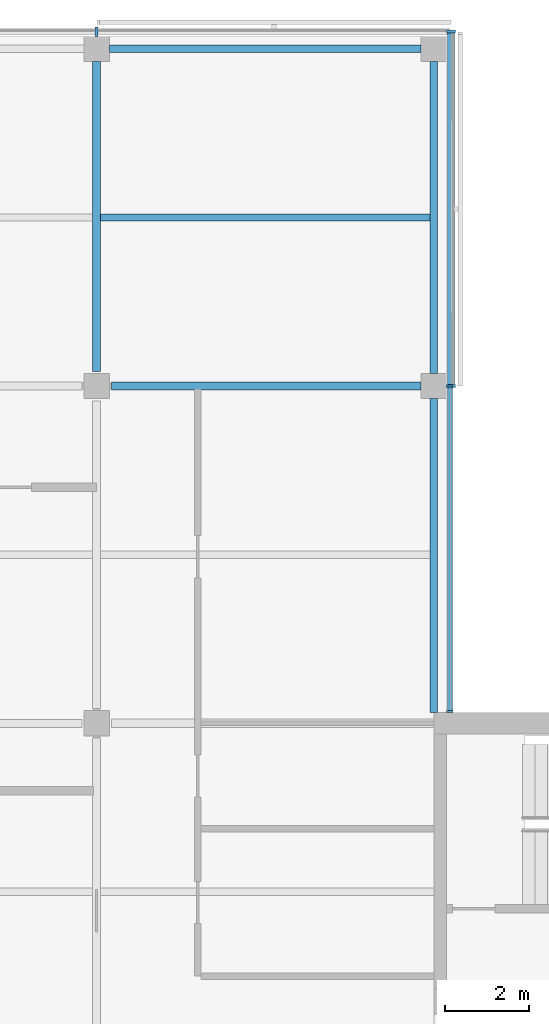
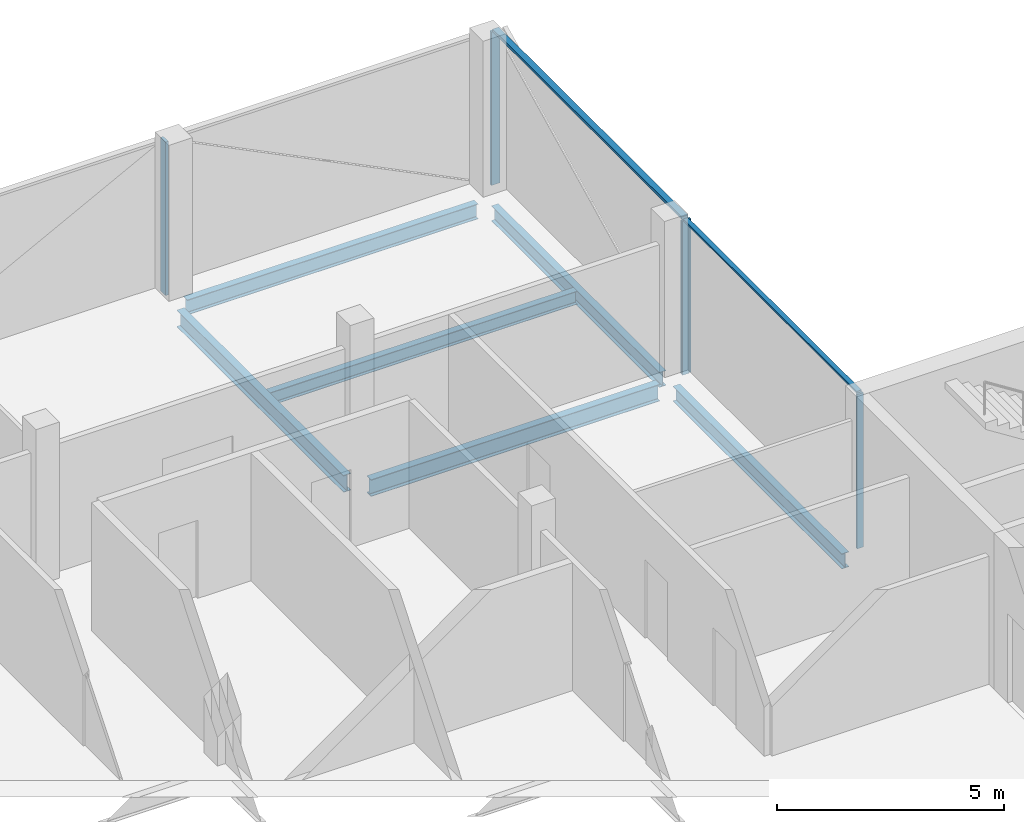
# One storey, part 7 of 16: 7 members, 6 beams, 3 elements without a shape of their own.
"""IFC4 building model written with IfcOpenShell, lengths in metres."""

from ifc_helpers import new_model, si_unit, direction, frame, origin, origin_2d, place, context, subcontext, project, spatial, rectangle, i_section, extrude, material, material_profile, profile_set, type_object, element, aggregate, save


model = new_model("IFC4")

# Units and contexts
model_context = context("Model", 3, precision=1e-05, world=origin(), true_north=direction((0.0, 1.0)))
body_context = subcontext(model_context, "Body", "Model", "MODEL_VIEW")
ifc_project = project(units=[si_unit("LENGTHUNIT", "METRE"), si_unit("AREAUNIT", "SQUARE_METRE"), si_unit("VOLUMEUNIT", "CUBIC_METRE"), si_unit("PLANEANGLEUNIT", "RADIAN"), si_unit("MASSUNIT", "GRAM", prefix="KILO")], contexts=[model_context])

# Site, building, storey
site_placement = place(None, origin())
site = spatial("IfcSite", under=ifc_project, at=site_placement, CompositionType="ELEMENT")
building_placement = place(site_placement, origin())
building = spatial("IfcBuilding", under=site, at=building_placement, Name="Crosswind Convention Tower", CompositionType="ELEMENT")
storey_placement = place(building_placement, frame((0.0, 0.0, 295.5)))
storey = spatial("IfcBuildingStorey", under=building, at=storey_placement, Name="L64", CompositionType="ELEMENT", Elevation=295.5)

# Beams
ifc_material_1 = material(Name="Steel S355", Category="steel")
ifc_material_profile_1 = material_profile(ifc_material_1, i_section(OverallWidth=0.177734375, OverallDepth=0.406494140625, WebThickness=0.0078125, FlangeThickness=0.0126953125, FilletRadius=0.01025390625, at=origin_2d()), Name="UB 406x178x60")
ifc_profile_set_1 = profile_set([ifc_material_profile_1], Name="Steel S355")
beam_type_1 = type_object("IfcBeamType", Name="Edge beam UB 406x178x60", PredefinedType="SPANDREL", material=ifc_profile_set_1)
beam_1_placement = place(storey_placement, frame((129.300048828125, 128.0, -0.503173828125), z_axis=(1.0, 0.0, 0.0), x_axis=(0.0, 1.0, 0.0)))
element("IfcBeam", 1, at=beam_1_placement, inside=storey, type_object=beam_type_1, Name="B15 L64 edge beam 10", PredefinedType="SPANDREL", context=body_context, shape_type="SweptSolid", body=[
    extrude(i_section(OverallWidth=0.177734375, OverallDepth=0.406494140625, WebThickness=0.0078125, FlangeThickness=0.0126953125, FilletRadius=0.01025390625, at=origin_2d()), origin(), (0.0, 0.0, 1.0), 7.39990234375),
])
beam_2_placement = place(storey_placement, frame((137.0, 112.25, -0.503173828125), z_axis=(0.0, 1.0, 0.0), x_axis=(-1.0, 0.0, 0.0)))
element("IfcBeam", 2, at=beam_2_placement, inside=storey, type_object=beam_type_1, Name="B15 L64 edge beam 13", PredefinedType="SPANDREL", context=body_context, shape_type="SweptSolid", body=[
    extrude(i_section(OverallWidth=0.177734375, OverallDepth=0.406494140625, WebThickness=0.0078125, FlangeThickness=0.0126953125, FilletRadius=0.01025390625, at=origin_2d()), origin(), (0.0, 0.0, 1.0), 7.449951171875),
])
beam_3_placement = place(storey_placement, frame((137.0, 120.300048828125, -0.503173828125), z_axis=(0.0, 1.0, 0.0), x_axis=(-1.0, 0.0, 0.0)))
element("IfcBeam", 3, at=beam_3_placement, inside=storey, type_object=beam_type_1, Name="B15 L64 edge beam 14", PredefinedType="SPANDREL", context=body_context, shape_type="SweptSolid", body=[
    extrude(i_section(OverallWidth=0.177734375, OverallDepth=0.406494140625, WebThickness=0.0078125, FlangeThickness=0.0126953125, FilletRadius=0.01025390625, at=origin_2d()), origin(), (0.0, 0.0, 1.0), 7.39990234375),
])
ifc_material_profile_2 = material_profile(ifc_material_1, i_section(OverallWidth=0.18994140625, OverallDepth=0.45361328125, WebThickness=0.008544921875, FlangeThickness=0.0126953125, FilletRadius=0.01025390625, at=origin_2d()), Name="UB 457x191x67")
ifc_profile_set_2 = profile_set([ifc_material_profile_2], Name="Steel S355")
beam_type_2 = type_object("IfcBeamType", Name="Girder UB 457x191x67", PredefinedType="BEAM", material=ifc_profile_set_2)
for number, where, z_axis, x_axis, name in (
    (4, (129.0, 120.35009765625, -0.52685546875), (0.0, 1.0, 0.0), (-1.0, 0.0, 0.0), "B1 L64 girder 22"),
    (5, (129.35009765625, 120.0, -0.52685546875), (1.0, 0.0, 0.0), (0.0, 1.0, 0.0), "B1 L64 girder 24"),
):
    element("IfcBeam", number, at=place(storey_placement, frame(where, z_axis=z_axis, x_axis=x_axis)), inside=storey, type_object=beam_type_2, Name=name, PredefinedType="BEAM", context=body_context, shape_type="SweptSolid", body=[
        extrude(i_section(OverallWidth=0.18994140625, OverallDepth=0.45361328125, WebThickness=0.008544921875, FlangeThickness=0.0126953125, FilletRadius=0.01025390625, at=origin_2d()), origin(), (0.0, 0.0, 1.0), 7.349853515625),
    ])

# Curtain wall, members
ifc_material_2 = material(Name="Aluminium unitised curtain wall", Category="aluminium")
curtain_wall_type_1 = type_object("IfcCurtainWallType", Name="CORE END SLOT WALL 160", PredefinedType="USERDEFINED", material=ifc_material_2)
curtain_wall_1_placement = place(storey_placement, origin())
curtain_wall_1 = element("IfcCurtainWall", 6, at=curtain_wall_1_placement, inside=storey, type_object=curtain_wall_type_1, Name="CW6 L64 N-E.1-1 slot", ObjectType="UNITISED", PredefinedType="USERDEFINED")
ifc_material_3 = material(Name="Aluminium mullion", Category="aluminium")
ifc_material_profile_3 = material_profile(ifc_material_3, rectangle(XDim=0.159912109375, YDim=0.050048828125, at=origin_2d()), Name="AL 160X50")
ifc_profile_set_3 = profile_set([ifc_material_profile_3], Name="Aluminium mullion")
member_type_1 = type_object("IfcMemberType", Name="MULLION 50X160", PredefinedType="MULLION", material=ifc_profile_set_3)
member_1_placement = place(storey_placement, frame((137.3798828125, 112.27490234375, -0.300048828125), z_axis=(0.0, 0.0, 1.0), x_axis=(1.0, 0.0, 0.0)))
member_1 = element("IfcMember", 7, at=member_1_placement, type_object=member_type_1, Name="CW6 mullion 1", PredefinedType="MULLION", context=body_context, shape_type="SweptSolid", body=[
    extrude(rectangle(XDim=0.159912109375, YDim=0.050048828125, at=origin_2d()), origin(), (0.0, 0.0, 1.0), 4.150146484375),
])
member_2_placement = place(storey_placement, frame((137.3798828125, 119.97509765625, -0.300048828125), z_axis=(0.0, 0.0, 1.0), x_axis=(1.0, 0.0, 0.0)))
member_2 = element("IfcMember", 8, at=member_2_placement, type_object=member_type_1, Name="CW6 mullion 2", PredefinedType="MULLION", context=body_context, shape_type="SweptSolid", body=[
    extrude(rectangle(XDim=0.159912109375, YDim=0.050048828125, at=origin_2d()), origin(), (0.0, 0.0, 1.0), 4.150146484375),
])

curtain_wall_type_2 = type_object("IfcCurtainWallType", Name="OFFICE UNITISED WALL 220", PredefinedType="USERDEFINED", material=ifc_material_2)
curtain_wall_2_placement = place(storey_placement, origin())
curtain_wall_2 = element("IfcCurtainWall", 9, at=curtain_wall_2_placement, inside=storey, type_object=curtain_wall_type_2, Name="CW3 L64 N-E 1", ObjectType="UNITISED", PredefinedType="USERDEFINED")
ifc_material_profile_4 = material_profile(ifc_material_3, rectangle(XDim=0.219970703125, YDim=0.070068359375, at=origin_2d()), Name="AL 220X70")
ifc_profile_set_4 = profile_set([ifc_material_profile_4], Name="Aluminium mullion")
member_type_2 = type_object("IfcMemberType", Name="MULLION 70X220", PredefinedType="MULLION", material=ifc_profile_set_4)
member_3_placement = place(storey_placement, frame((137.409912109375, 120.0, -0.300048828125), z_axis=(0.0, 0.0, 1.0), x_axis=(1.0, 0.0, 0.0)))
member_3 = element("IfcMember", 10, at=member_3_placement, type_object=member_type_2, Name="CW3 mullion 1", PredefinedType="MULLION", context=body_context, shape_type="SweptSolid", body=[
    extrude(rectangle(XDim=0.219970703125, YDim=0.070068359375, at=origin_2d()), origin(), (0.0, 0.0, 1.0), 4.130126953125),
])
member_4_placement = place(storey_placement, frame((137.409912109375, 128.409912109375, -0.300048828125), z_axis=(0.0, 0.0, 1.0), x_axis=(1.0, 0.0, 0.0)))
member_4 = element("IfcMember", 11, at=member_4_placement, type_object=member_type_2, Name="CW3 mullion 2", PredefinedType="MULLION", context=body_context, shape_type="SweptSolid", body=[
    extrude(rectangle(XDim=0.219970703125, YDim=0.070068359375, at=origin_2d()), origin(), (0.0, 0.0, 1.0), 4.130126953125),
])

# Curtain wall, member
curtain_wall_3_placement = place(storey_placement, origin())
curtain_wall_3 = element("IfcCurtainWall", 12, at=curtain_wall_3_placement, inside=storey, type_object=curtain_wall_type_2, Name="CW3 L64 N-TIP 1", ObjectType="UNITISED", PredefinedType="USERDEFINED")
member_5_placement = place(storey_placement, frame((129.0, 128.409912109375, -0.300048828125), z_axis=(0.0, 0.0, 1.0), x_axis=(0.0, 1.0, 0.0)))
member_5 = element("IfcMember", 13, at=member_5_placement, type_object=member_type_2, Name="CW3 mullion 2", PredefinedType="MULLION", context=body_context, shape_type="SweptSolid", body=[
    extrude(rectangle(XDim=0.219970703125, YDim=0.070068359375, at=origin_2d()), origin(), (0.0, 0.0, 1.0), 4.130126953125),
])
aggregate(curtain_wall_3, [member_5])

# Beam
ifc_material_profile_5 = material_profile(ifc_material_1, i_section(OverallWidth=0.17138671875, OverallDepth=0.355712890625, WebThickness=0.00732421875, FlangeThickness=0.011474609375, FilletRadius=0.01025390625, at=origin_2d()), Name="UB 356x171x51")
ifc_profile_set_5 = profile_set([ifc_material_profile_5], Name="Steel S355")
beam_type_3 = type_object("IfcBeamType", Name="Secondary beam UB 356x171x51", PredefinedType="JOIST", material=ifc_profile_set_5)
beam_4_placement = place(storey_placement, frame((129.094970703125, 124.0, -0.477783203125), z_axis=(1.0, 0.0, 0.0), x_axis=(0.0, 1.0, 0.0)))
element("IfcBeam", 14, at=beam_4_placement, inside=storey, type_object=beam_type_3, Name="B8 L64 secondary beam 21", PredefinedType="JOIST", context=body_context, shape_type="SweptSolid", body=[
    extrude(i_section(OverallWidth=0.17138671875, OverallDepth=0.355712890625, WebThickness=0.00732421875, FlangeThickness=0.011474609375, FilletRadius=0.01025390625, at=origin_2d()), origin(), (0.0, 0.0, 1.0), 7.816162109375),
])

# Member
ifc_material_4 = material(Name="Aluminium transom", Category="aluminium")
ifc_material_profile_6 = material_profile(ifc_material_4, rectangle(XDim=0.1201171875, YDim=0.050048828125, at=origin_2d()), Name="AL 120X50")
ifc_profile_set_6 = profile_set([ifc_material_profile_6], Name="Aluminium transom")
member_type_3 = type_object("IfcMemberType", Name="TRANSOM 50X120", PredefinedType="USERDEFINED", material=ifc_profile_set_6)
member_6_placement = place(storey_placement, frame((137.3798828125, 112.300048828125, 3.875), z_axis=(0.0, 1.0, 0.0), x_axis=(-1.0, 0.0, 0.0)))
member_6 = element("IfcMember", 15, at=member_6_placement, type_object=member_type_3, Name="CW6 transom", ObjectType="TRANSOM", PredefinedType="USERDEFINED", context=body_context, shape_type="SweptSolid", body=[
    extrude(rectangle(XDim=0.1201171875, YDim=0.050048828125, at=origin_2d()), origin(), (0.0, 0.0, 1.0), 7.64990234375),
])

aggregate(curtain_wall_1, [member_1, member_2, member_6])

ifc_material_profile_7 = material_profile(ifc_material_4, rectangle(XDim=0.159912109375, YDim=0.070068359375, at=origin_2d()), Name="AL 160X70")
ifc_profile_set_7 = profile_set([ifc_material_profile_7], Name="Aluminium transom")
member_type_4 = type_object("IfcMemberType", Name="TRANSOM 70X160", PredefinedType="USERDEFINED", material=ifc_profile_set_7)
member_7_placement = place(storey_placement, frame((137.409912109375, 120.034912109375, 3.864990234375), z_axis=(0.0, 1.0, 0.0), x_axis=(-1.0, 0.0, 0.0)))
member_7 = element("IfcMember", 16, at=member_7_placement, type_object=member_type_4, Name="CW3 transom", ObjectType="TRANSOM", PredefinedType="USERDEFINED", context=body_context, shape_type="SweptSolid", body=[
    extrude(rectangle(XDim=0.159912109375, YDim=0.070068359375, at=origin_2d()), origin(), (0.0, 0.0, 1.0), 8.340087890625),
])

aggregate(curtain_wall_2, [member_3, member_4, member_7])

save(model, "model.ifc")
